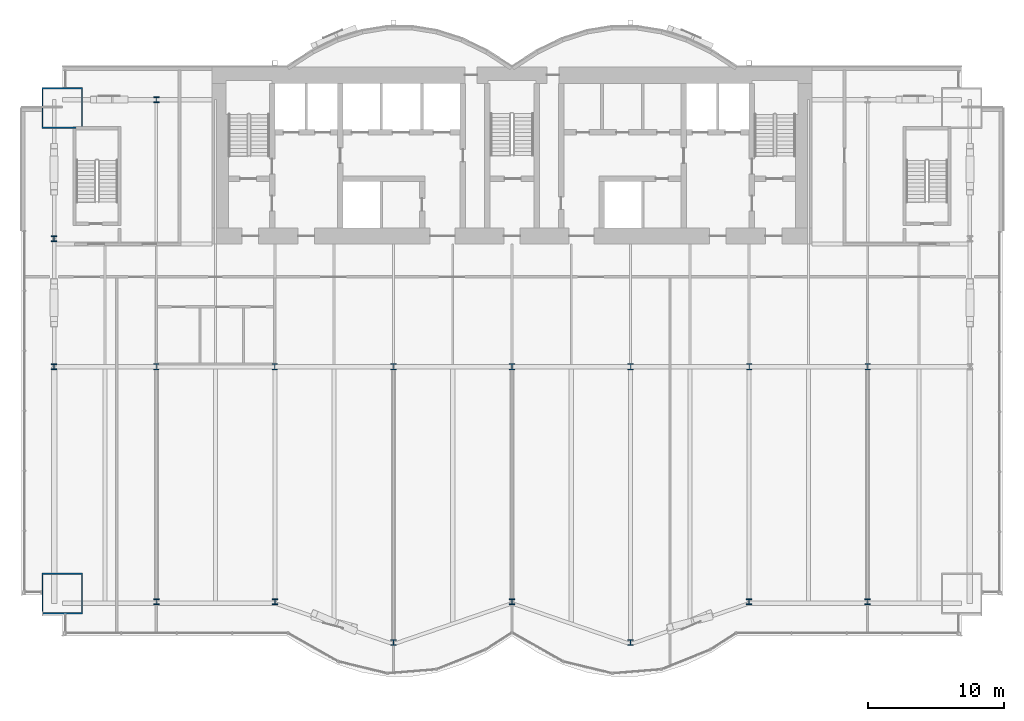
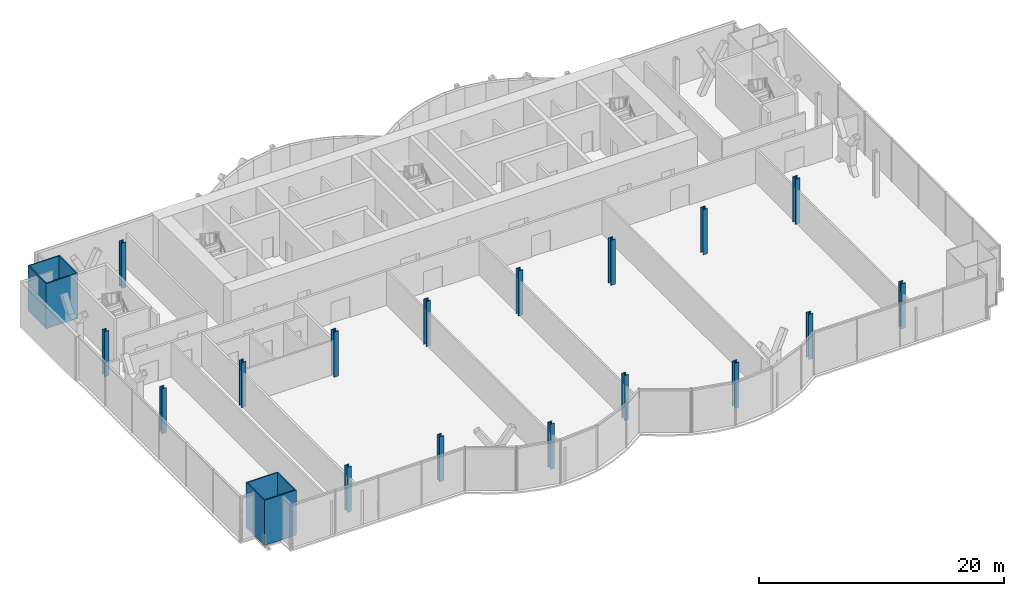
# One storey, part 1 of 22: 19 columns.
"""IFC4 building model written with IfcOpenShell, lengths in metres."""

from ifc_helpers import new_model, si_unit, direction, frame, origin, origin_2d, place, context, subcontext, project, spatial, hollow_rectangle, i_section, extrude, material, material_profile, profile_set, type_object, element, save


model = new_model("IFC4")

# Units and contexts
model_context = context("Model", 3, precision=1e-05, world=origin(), true_north=direction((0.0, 1.0)))
body_context = subcontext(model_context, "Body", "Model", "MODEL_VIEW")
ifc_project = project(units=[si_unit("LENGTHUNIT", "METRE"), si_unit("AREAUNIT", "SQUARE_METRE"), si_unit("VOLUMEUNIT", "CUBIC_METRE"), si_unit("PLANEANGLEUNIT", "RADIAN"), si_unit("MASSUNIT", "GRAM", prefix="KILO")], contexts=[model_context])

# Site, building, storey
site_placement = place(None, origin())
site = spatial("IfcSite", under=ifc_project, at=site_placement, CompositionType="ELEMENT")
building_placement = place(site_placement, origin())
building = spatial("IfcBuilding", under=site, at=building_placement, Name="Bicima Exchange Tower", CompositionType="ELEMENT")
storey_placement = place(building_placement, frame((0.0, 0.0, 39.5)))
storey = spatial("IfcBuildingStorey", under=building, at=storey_placement, Name="L07", CompositionType="ELEMENT", Elevation=39.5)

# Columns
ifc_material_1 = material(Name="Steel ASTM A992 Gr 50", Category="steel")
ifc_material_profile_1 = material_profile(ifc_material_1, i_section(OverallWidth=0.419189453125, OverallDepth=0.45458984375, WebThickness=0.042236328125, FlangeThickness=0.067626953125, at=origin_2d()))
ifc_profile_set_1 = profile_set([ifc_material_profile_1], Name="Steel ASTM A992 Gr 50")
column_type_1 = type_object("IfcColumnType", Name="Interior column W14x370", PredefinedType="COLUMN", material=ifc_profile_set_1)
for number, where, z_axis, x_axis, name in (
    (1, (-26.10009765625, -22.0, 0.0), (0.0, 0.0, 1.0), (1.0, 0.0, 0.0), "Interior column interior-26.1i"),
    (2, (-17.39990234375, -22.0, 0.0), (0.0, 0.0, 1.0), (1.0, 0.0, 0.0), "Interior column interior-17.4i"),
    (3, (-8.699951171875, -22.0, 0.0), (0.0, 0.0, 1.0), (1.0, 0.0, 0.0), "Interior column interior-8.7i"),
    (4, (0.0, -22.0, 0.0), (0.0, 0.0, 1.0), (1.0, 0.0, 0.0), "Interior column interior+0.0i"),
    (5, (8.699951171875, -22.0, 0.0), (0.0, 0.0, 1.0), (1.0, 0.0, 0.0), "Interior column interior+8.7i"),
    (6, (17.39990234375, -22.0, 0.0), (0.0, 0.0, 1.0), (1.0, 0.0, 0.0), "Interior column interior+17.4i"),
    (7, (26.10009765625, -22.0, 0.0), (0.0, 0.0, 1.0), (1.0, 0.0, 0.0), "Interior column interior+26.1i"),
):
    element("IfcColumn", number, at=place(storey_placement, frame(where, z_axis=z_axis, x_axis=x_axis)), inside=storey, type_object=column_type_1, Name=name, PredefinedType="COLUMN", context=body_context, shape_type="SweptSolid", body=[
        extrude(i_section(OverallWidth=0.419189453125, OverallDepth=0.45458984375, WebThickness=0.042236328125, FlangeThickness=0.067626953125, at=origin_2d()), origin(), (0.0, 0.0, 1.0), 4.5),
    ])
ifc_material_2 = material(Name="Steel ASTM A572 Gr 50", Category="steel")
ifc_material_profile_2 = material_profile(ifc_material_2, hollow_rectangle(XDim=3.0, YDim=3.0, WallThickness=0.10009765625, at=origin_2d()))
ifc_profile_set_2 = profile_set([ifc_material_profile_2], Name="Steel ASTM A572 Gr 50")
column_type_2 = type_object("IfcColumnType", Name="Mega column BOX 3000x3000x100", PredefinedType="COLUMN", material=ifc_profile_set_2)
for number, where, z_axis, x_axis, name in (
    (8, (-33.0, -38.634033203125, 0.0), (0.0, 0.0, 1.0), (1.0, 0.0, 0.0), "Mega column mega-33.0f"),
    (9, (-33.0, -3.0, 0.0), (0.0, 0.0, 1.0), (1.0, 0.0, 0.0), "Mega column mega-33.0r"),
):
    element("IfcColumn", number, at=place(storey_placement, frame(where, z_axis=z_axis, x_axis=x_axis)), inside=storey, type_object=column_type_2, Name=name, PredefinedType="COLUMN", context=body_context, shape_type="SweptSolid", body=[
        extrude(hollow_rectangle(XDim=3.0, YDim=3.0, WallThickness=0.10009765625, at=origin_2d()), origin(), (0.0, 0.0, 1.0), 4.5),
    ])
ifc_material_profile_3 = material_profile(ifc_material_1, i_section(OverallWidth=0.406494140625, OverallDepth=0.41650390625, WebThickness=0.030029296875, FlangeThickness=0.048095703125, at=origin_2d()))
ifc_profile_set_3 = profile_set([ifc_material_profile_3], Name="Steel ASTM A992 Gr 50")
column_type_3 = type_object("IfcColumnType", Name="Perimeter column W14x257", PredefinedType="COLUMN", material=ifc_profile_set_3)
for number, where, z_axis, x_axis, name in (
    (10, (-26.10009765625, -39.23388671875, 0.0), (0.0, 0.0, 1.0), (1.0, 0.0, 0.0), "Perimeter column grav-26.1f"),
    (11, (-26.10009765625, -2.39990234375, 0.0), (0.0, 0.0, 1.0), (1.0, 0.0, 0.0), "Perimeter column grav-26.1r"),
    (12, (-17.39990234375, -39.23388671875, 0.0), (0.0, 0.0, 1.0), (1.0, 0.0, 0.0), "Perimeter column grav-17.4f"),
    (13, (-8.699951171875, -42.22509765625, 0.0), (0.0, 0.0, 1.0), (1.0, 0.0, 0.0), "Perimeter column grav-8.7f"),
    (14, (0.0, -39.23388671875, 0.0), (0.0, 0.0, 1.0), (1.0, 0.0, 0.0), "Perimeter column grav-0.0f"),
    (15, (8.699951171875, -42.22509765625, 0.0), (0.0, 0.0, 1.0), (1.0, 0.0, 0.0), "Perimeter column grav+8.7f"),
    (16, (17.39990234375, -39.23388671875, 0.0), (0.0, 0.0, 1.0), (1.0, 0.0, 0.0), "Perimeter column grav+17.4f"),
    (17, (26.10009765625, -39.23388671875, 0.0), (0.0, 0.0, 1.0), (1.0, 0.0, 0.0), "Perimeter column grav+26.1f"),
    (18, (-33.60009765625, -12.60009765625, 0.0), (0.0, 0.0, 1.0), (1.0, 0.0, 0.0), "End column end-33.6e"),
    (19, (-33.60009765625, -22.0, 0.0), (0.0, 0.0, 1.0), (1.0, 0.0, 0.0), "End column end-33.6e"),
):
    element("IfcColumn", number, at=place(storey_placement, frame(where, z_axis=z_axis, x_axis=x_axis)), inside=storey, type_object=column_type_3, Name=name, PredefinedType="COLUMN", context=body_context, shape_type="SweptSolid", body=[
        extrude(i_section(OverallWidth=0.406494140625, OverallDepth=0.41650390625, WebThickness=0.030029296875, FlangeThickness=0.048095703125, at=origin_2d()), origin(), (0.0, 0.0, 1.0), 4.5),
    ])

save(model, "model.ifc")
